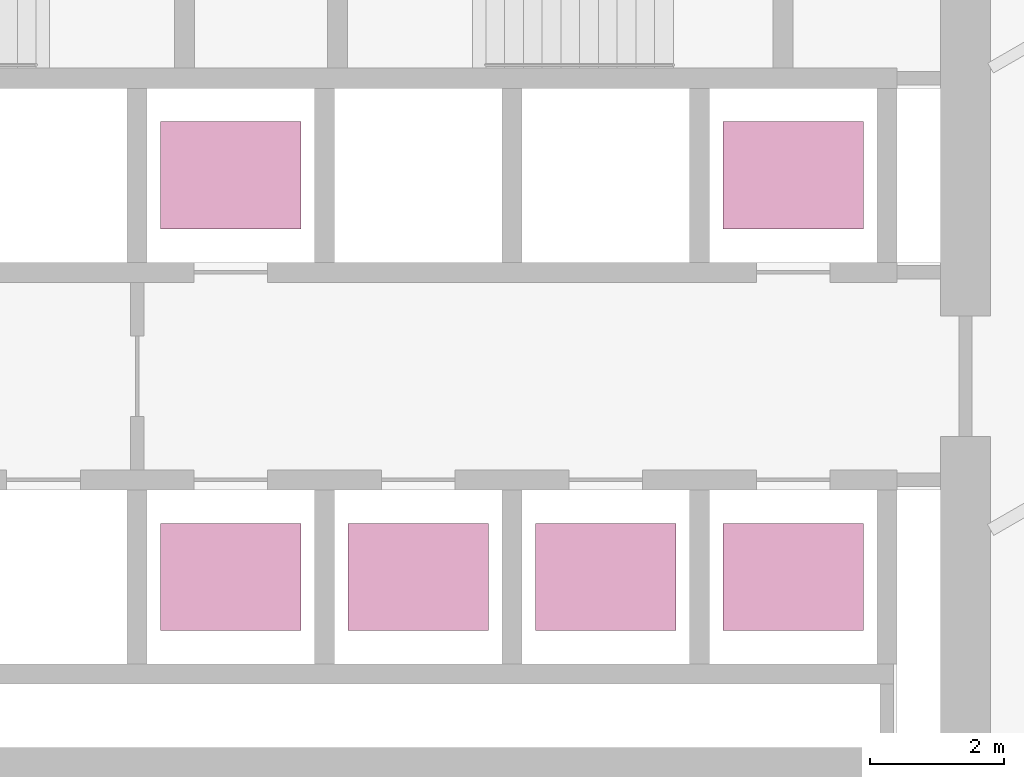
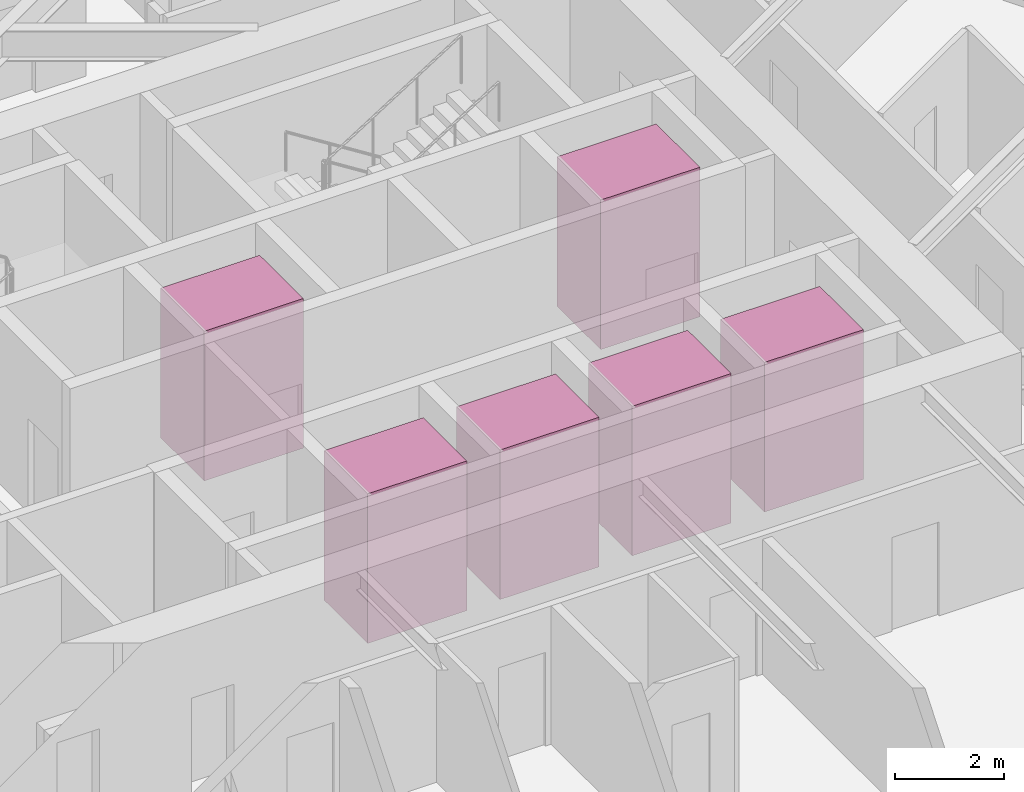
# One storey, part 21 of 21: 6 transport elements.
"""IFC4 building model written with IfcOpenShell, lengths in metres."""

from ifc_helpers import new_model, si_unit, direction, frame, origin, origin_2d, place, context, subcontext, project, spatial, rectangle, extrude, material, type_object, element, save


model = new_model("IFC4")

# Units and contexts
model_context = context("Model", 3, precision=1e-05, world=origin(), true_north=direction((0.0, 1.0)))
body_context = subcontext(model_context, "Body", "Model", "MODEL_VIEW")
ifc_project = project(units=[si_unit("LENGTHUNIT", "METRE"), si_unit("AREAUNIT", "SQUARE_METRE"), si_unit("VOLUMEUNIT", "CUBIC_METRE"), si_unit("PLANEANGLEUNIT", "RADIAN"), si_unit("MASSUNIT", "GRAM", prefix="KILO")], contexts=[model_context])

# Site, building, storey
site_placement = place(None, origin())
site = spatial("IfcSite", under=ifc_project, at=site_placement, CompositionType="ELEMENT")
building_placement = place(site_placement, origin())
building = spatial("IfcBuilding", under=site, at=building_placement, Name="Firuza Gate Tower and Library", CompositionType="ELEMENT")
storey_placement = place(building_placement, frame((0.0, 0.0, 167.5)))
storey = spatial("IfcBuildingStorey", under=building, at=storey_placement, Name="L38", CompositionType="ELEMENT", Elevation=167.5)

# Transport elements
ifc_material = material(Name="Stainless steel and glass", Category="steel")
transport_element_type = type_object("IfcTransportElementType", Name="Mid-rise lift car 2100x1600", PredefinedType="ELEVATOR", material=ifc_material)
for number, where, z_axis, x_axis, name in (
    (1, (74.64990234375, 70.300048828125, 0.0), (0.0, 0.0, 1.0), (1.0, 0.0, 0.0), "Mid-rise lift MR1"),
    (2, (77.449951171875, 70.300048828125, 0.0), (0.0, 0.0, 1.0), (1.0, 0.0, 0.0), "Mid-rise lift MR2"),
    (3, (80.25, 70.300048828125, 0.0), (0.0, 0.0, 1.0), (1.0, 0.0, 0.0), "Mid-rise lift MR3"),
    (4, (74.64990234375, 76.300048828125, 0.0), (0.0, 0.0, 1.0), (1.0, 0.0, 0.0), "Mid-rise lift MR4"),
    (5, (83.050048828125, 70.300048828125, 0.0), (0.0, 0.0, 1.0), (1.0, 0.0, 0.0), "Mid-rise lift MR5"),
    (6, (83.050048828125, 76.300048828125, 0.0), (0.0, 0.0, 1.0), (1.0, 0.0, 0.0), "Mid-rise lift MR6"),
):
    element("IfcTransportElement", number, at=place(storey_placement, frame(where, z_axis=z_axis, x_axis=x_axis)), inside=storey, type_object=transport_element_type, Name=name, PredefinedType="ELEVATOR", context=body_context, shape_type="SweptSolid", body=[
        extrude(rectangle(XDim=2.10009765625, YDim=1.60009765625, at=origin_2d()), origin(), (0.0, 0.0, 1.0), 3.35009765625),
    ])

save(model, "model.ifc")
